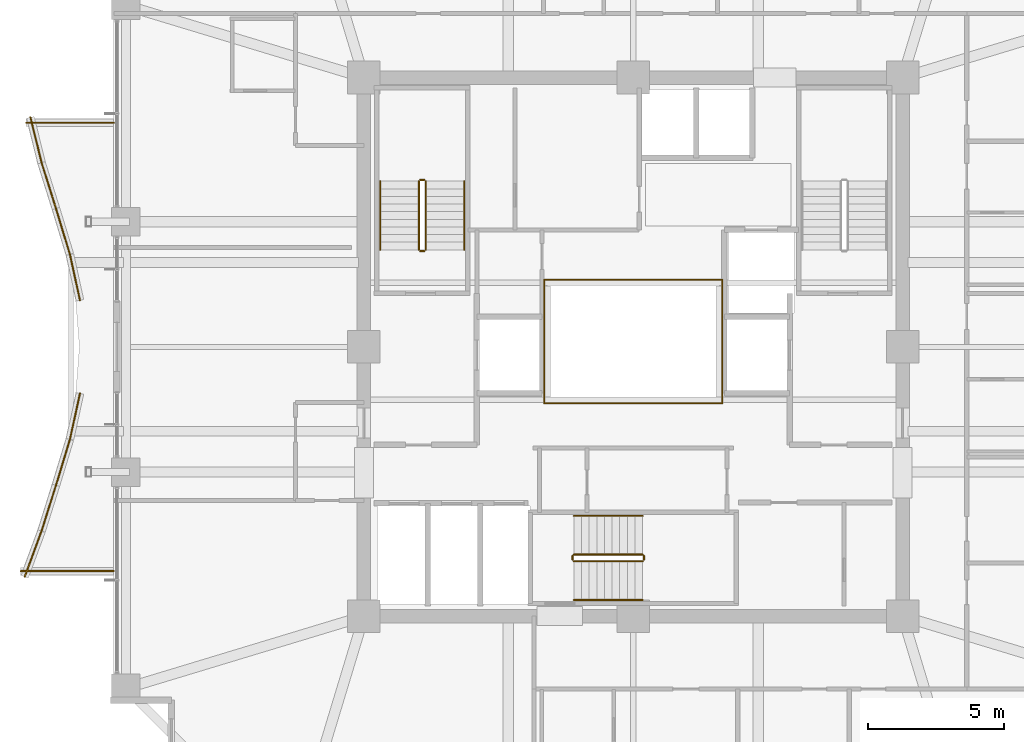
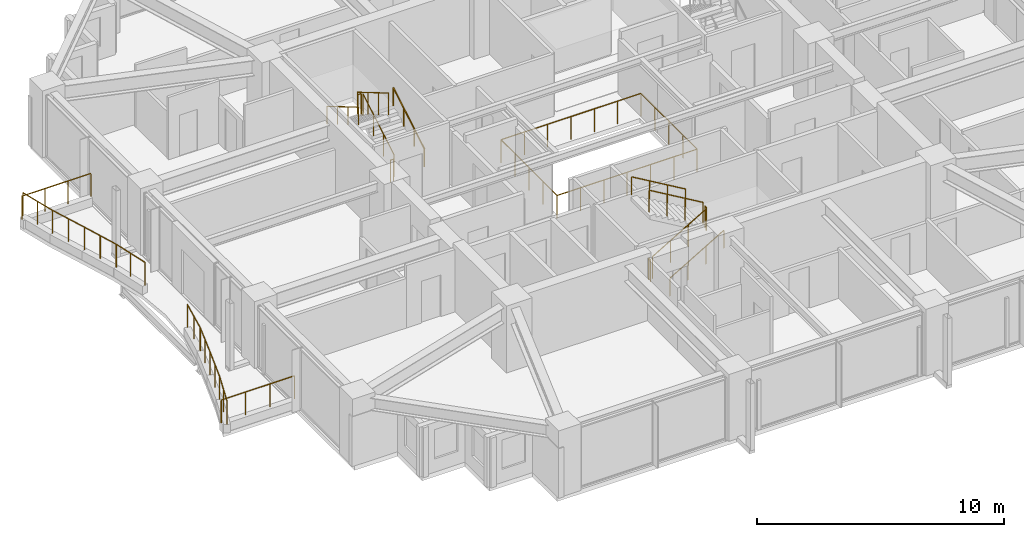
# One storey, part 34 of 35: 26 railings.
"""IFC4 building model written with IfcOpenShell, lengths in metres."""

from ifc_helpers import new_model, si_unit, direction, frame, origin, origin_2d, place, context, subcontext, project, spatial, circle, extrude, material, type_object, element, save


model = new_model("IFC4")

# Units and contexts
model_context = context("Model", 3, precision=1e-05, world=origin(), true_north=direction((0.0, 1.0)))
body_context = subcontext(model_context, "Body", "Model", "MODEL_VIEW")
ifc_project = project(units=[si_unit("LENGTHUNIT", "METRE"), si_unit("AREAUNIT", "SQUARE_METRE"), si_unit("VOLUMEUNIT", "CUBIC_METRE"), si_unit("PLANEANGLEUNIT", "RADIAN"), si_unit("MASSUNIT", "GRAM", prefix="KILO")], contexts=[model_context])

# Site, building, storey
site_placement = place(None, origin())
site = spatial("IfcSite", under=ifc_project, at=site_placement, CompositionType="ELEMENT")
building_placement = place(site_placement, origin())
building = spatial("IfcBuilding", under=site, at=building_placement, Name="Kolvaren Belvedere", CompositionType="ELEMENT")
storey_placement = place(building_placement, frame((0.0, 0.0, 115.10009765625)))
storey = spatial("IfcBuildingStorey", under=building, at=storey_placement, Name="L33", CompositionType="ELEMENT", Elevation=115.10009765625)

# Railings
ifc_material_1 = material(Name="Laminated glass & stainless-steel cap rail", Category="steel")
railing_type_1 = type_object("IfcRailingType", Name="RL-ATR-1150", PredefinedType="BALUSTRADE", material=ifc_material_1)
for number, where, name in (
    (1, (-3.27001953125, 2.469970703125, 0.0), "L33 Atrium North Glass Balustrade"),
    (2, (-3.27001953125, -2.070068359375, 0.0), "L33 Atrium South Glass Balustrade"),
):
    element("IfcRailing", number, at=place(storey_placement, frame(where)), inside=storey, type_object=railing_type_1, Name=name, PredefinedType="BALUSTRADE", context=body_context, shape_type="SweptSolid", body=[
        extrude(circle(Radius=0.02392578125, at=origin_2d()), frame((0.0, 0.0, 1.1259765625), z_axis=(1.0, 0.0, 0.0), x_axis=(0.0, 1.0, 0.0)), (0.0, 0.0, 1.0), 6.5400390625),
        extrude(circle(Radius=0.02099609375, at=origin_2d()), origin(), (0.0, 0.0, 1.0), 1.101806640625),
        extrude(circle(Radius=0.02099609375, at=origin_2d()), frame((1.090087890625, 0.0, 0.0)), (0.0, 0.0, 1.0), 1.101806640625),
        extrude(circle(Radius=0.02099609375, at=origin_2d()), frame((2.179931640625, 0.0, 0.0)), (0.0, 0.0, 1.0), 1.101806640625),
        extrude(circle(Radius=0.02099609375, at=origin_2d()), frame((3.27001953125, 0.0, 0.0)), (0.0, 0.0, 1.0), 1.101806640625),
        extrude(circle(Radius=0.02099609375, at=origin_2d()), frame((4.360107421875, 0.0, 0.0)), (0.0, 0.0, 1.0), 1.101806640625),
        extrude(circle(Radius=0.02099609375, at=origin_2d()), frame((5.449951171875, 0.0, 0.0)), (0.0, 0.0, 1.0), 1.101806640625),
        extrude(circle(Radius=0.02099609375, at=origin_2d()), frame((6.5400390625, 0.0, 0.0)), (0.0, 0.0, 1.0), 1.101806640625),
    ])
for number, where, name in (
    (3, (-3.27001953125, -2.070068359375, 0.0), "L33 Atrium West Glass Balustrade"),
    (4, (3.27001953125, -2.070068359375, 0.0), "L33 Atrium East Glass Balustrade"),
):
    element("IfcRailing", number, at=place(storey_placement, frame(where)), inside=storey, type_object=railing_type_1, Name=name, PredefinedType="BALUSTRADE", context=body_context, shape_type="SweptSolid", body=[
        extrude(circle(Radius=0.02392578125, at=origin_2d()), frame((0.0, 0.0, 1.1259765625), z_axis=(0.0, 1.0, 0.0), x_axis=(-1.0, 0.0, 0.0)), (0.0, 0.0, 1.0), 4.5400390625),
        extrude(circle(Radius=0.02099609375, at=origin_2d()), origin(), (0.0, 0.0, 1.0), 1.101806640625),
        extrude(circle(Radius=0.02099609375, at=origin_2d()), frame((0.0, 1.135009765625, 0.0)), (0.0, 0.0, 1.0), 1.101806640625),
        extrude(circle(Radius=0.02099609375, at=origin_2d()), frame((0.0, 2.27001953125, 0.0)), (0.0, 0.0, 1.0), 1.101806640625),
        extrude(circle(Radius=0.02099609375, at=origin_2d()), frame((0.0, 3.405029296875, 0.0)), (0.0, 0.0, 1.0), 1.101806640625),
        extrude(circle(Radius=0.02099609375, at=origin_2d()), frame((0.0, 4.5400390625, 0.0)), (0.0, 0.0, 1.0), 1.101806640625),
    ])
ifc_material_2 = material(Name="Anodised pale-metal aluminium & laminated glass guard", Category="aluminium")
railing_type_2 = type_object("IfcRailingType", Name="RL-GUARD-1150", PredefinedType="GUARDRAIL", material=ifc_material_2)
railing_1_placement = place(storey_placement, frame((-22.158203125, 8.438232421875, 0.3798828125)))
element("IfcRailing", 5, at=railing_1_placement, inside=storey, type_object=railing_type_2, Name="L33 Exterior Deck Safety Guard BAL-W-1", PredefinedType="GUARDRAIL", context=body_context, shape_type="SweptSolid", body=[
    extrude(circle(Radius=0.02392578125, at=origin_2d()), frame((0.0, 0.0, 1.1259765625), z_axis=(0.239180748277, -0.970975061293, 0.0), x_axis=(0.970975061293, 0.239180748277, 0.0)), (0.0, 0.0, 1.0), 1.730224609375),
    extrude(circle(Radius=0.02099609375, at=origin_2d()), origin(), (0.0, 0.0, 1.0), 1.101806640625),
    extrude(circle(Radius=0.02099609375, at=origin_2d()), frame((0.20703125, -0.83984375, 0.0)), (0.0, 0.0, 1.0), 1.101806640625),
    extrude(circle(Radius=0.02099609375, at=origin_2d()), frame((0.413818359375, -1.679931640625, 0.0)), (0.0, 0.0, 1.0), 1.101806640625),
])
railing_2_placement = place(storey_placement, frame((-21.747314453125, 6.767822265625, 0.3798828125)))
element("IfcRailing", 6, at=railing_2_placement, inside=storey, type_object=railing_type_2, Name="L33 Exterior Deck Safety Guard BAL-W-2", PredefinedType="GUARDRAIL", context=body_context, shape_type="SweptSolid", body=[
    extrude(circle(Radius=0.02392578125, at=origin_2d()), frame((0.0, 0.0, 1.1259765625), z_axis=(0.299750886874, -0.95401750813, 0.0), x_axis=(0.95401750813, 0.299750886874, 0.0)), (0.0, 0.0, 1.0), 1.760986328125),
    extrude(circle(Radius=0.02099609375, at=origin_2d()), origin(), (0.0, 0.0, 1.0), 1.101806640625),
    extrude(circle(Radius=0.02099609375, at=origin_2d()), frame((0.263916015625, -0.83984375, 0.0)), (0.0, 0.0, 1.0), 1.101806640625),
    extrude(circle(Radius=0.02099609375, at=origin_2d()), frame((0.52783203125, -1.679931640625, 0.0)), (0.0, 0.0, 1.0), 1.101806640625),
])
railing_3_placement = place(storey_placement, frame((-21.218994140625, 5.086669921875, 0.3798828125)))
element("IfcRailing", 7, at=railing_3_placement, inside=storey, type_object=railing_type_2, Name="L33 Exterior Deck Safety Guard BAL-W-3", PredefinedType="GUARDRAIL", context=body_context, shape_type="SweptSolid", body=[
    extrude(circle(Radius=0.02392578125, at=origin_2d()), frame((0.0, 0.0, 1.1259765625), z_axis=(0.290840734999, -0.956771481005, 0.0), x_axis=(0.956771481005, 0.290840734999, 0.0)), (0.0, 0.0, 1.0), 1.756103515625),
    extrude(circle(Radius=0.02099609375, at=origin_2d()), origin(), (0.0, 0.0, 1.0), 1.101806640625),
    extrude(circle(Radius=0.02099609375, at=origin_2d()), frame((0.25537109375, -0.840087890625, 0.0)), (0.0, 0.0, 1.0), 1.101806640625),
    extrude(circle(Radius=0.02099609375, at=origin_2d()), frame((0.5107421875, -1.68017578125, 0.0)), (0.0, 0.0, 1.0), 1.101806640625),
])
railing_4_placement = place(storey_placement, frame((-20.705078125, 3.394287109375, 0.3798828125)))
element("IfcRailing", 8, at=railing_4_placement, inside=storey, type_object=railing_type_2, Name="L33 Exterior Deck Safety Guard BAL-W-4", PredefinedType="GUARDRAIL", context=body_context, shape_type="SweptSolid", body=[
    extrude(circle(Radius=0.02392578125, at=origin_2d()), frame((0.0, 0.0, 1.1259765625), z_axis=(0.213773077423, -0.976883345835, 0.0), x_axis=(0.976883345835, 0.213773077423, 0.0)), (0.0, 0.0, 1.0), 1.719970703125),
    extrude(circle(Radius=0.02099609375, at=origin_2d()), origin(), (0.0, 0.0, 1.0), 1.101806640625),
    extrude(circle(Radius=0.02099609375, at=origin_2d()), frame((0.183837890625, -0.840087890625, 0.0)), (0.0, 0.0, 1.0), 1.101806640625),
    extrude(circle(Radius=0.02099609375, at=origin_2d()), frame((0.36767578125, -1.68017578125, 0.0)), (0.0, 0.0, 1.0), 1.101806640625),
])
railing_5_placement = place(storey_placement, frame((-20.33740234375, -1.714111328125, 0.3798828125)))
element("IfcRailing", 9, at=railing_5_placement, inside=storey, type_object=railing_type_2, Name="L33 Exterior Deck Safety Guard BAL-W-7", PredefinedType="GUARDRAIL", context=body_context, shape_type="SweptSolid", body=[
    extrude(circle(Radius=0.02392578125, at=origin_2d()), frame((0.0, 0.0, 1.1259765625), z_axis=(-0.213773077423, -0.976883345835, 0.0), x_axis=(0.976883345835, -0.213773077423, 0.0)), (0.0, 0.0, 1.0), 1.719970703125),
    extrude(circle(Radius=0.02099609375, at=origin_2d()), origin(), (0.0, 0.0, 1.0), 1.101806640625),
    extrude(circle(Radius=0.02099609375, at=origin_2d()), frame((-0.183837890625, -0.840087890625, 0.0)), (0.0, 0.0, 1.0), 1.101806640625),
    extrude(circle(Radius=0.02099609375, at=origin_2d()), frame((-0.36767578125, -1.68017578125, 0.0)), (0.0, 0.0, 1.0), 1.101806640625),
])
railing_6_placement = place(storey_placement, frame((-20.708251953125, -3.406494140625, 0.3798828125)))
element("IfcRailing", 10, at=railing_6_placement, inside=storey, type_object=railing_type_2, Name="L33 Exterior Deck Safety Guard BAL-W-8", PredefinedType="GUARDRAIL", context=body_context, shape_type="SweptSolid", body=[
    extrude(circle(Radius=0.02392578125, at=origin_2d()), frame((0.0, 0.0, 1.1259765625), z_axis=(-0.290840734999, -0.956771481005, 0.0), x_axis=(0.956771481005, -0.290840734999, 0.0)), (0.0, 0.0, 1.0), 1.756103515625),
    extrude(circle(Radius=0.02099609375, at=origin_2d()), origin(), (0.0, 0.0, 1.0), 1.101806640625),
    extrude(circle(Radius=0.02099609375, at=origin_2d()), frame((-0.25537109375, -0.840087890625, 0.0)), (0.0, 0.0, 1.0), 1.101806640625),
    extrude(circle(Radius=0.02099609375, at=origin_2d()), frame((-0.5107421875, -1.68017578125, 0.0)), (0.0, 0.0, 1.0), 1.101806640625),
])
railing_7_placement = place(storey_placement, frame((-21.219482421875, -5.087890625, 0.3798828125)))
element("IfcRailing", 11, at=railing_7_placement, inside=storey, type_object=railing_type_2, Name="L33 Exterior Deck Safety Guard BAL-W-9", PredefinedType="GUARDRAIL", context=body_context, shape_type="SweptSolid", body=[
    extrude(circle(Radius=0.02392578125, at=origin_2d()), frame((0.0, 0.0, 1.1259765625), z_axis=(-0.299750886874, -0.95401750813, 0.0), x_axis=(0.95401750813, -0.299750886874, 0.0)), (0.0, 0.0, 1.0), 1.760986328125),
    extrude(circle(Radius=0.02099609375, at=origin_2d()), origin(), (0.0, 0.0, 1.0), 1.101806640625),
    extrude(circle(Radius=0.02099609375, at=origin_2d()), frame((-0.263916015625, -0.83984375, 0.0)), (0.0, 0.0, 1.0), 1.101806640625),
    extrude(circle(Radius=0.02099609375, at=origin_2d()), frame((-0.52783203125, -1.679931640625, 0.0)), (0.0, 0.0, 1.0), 1.101806640625),
])
railing_8_placement = place(storey_placement, frame((-21.749755859375, -6.775390625, 0.3798828125)))
element("IfcRailing", 12, at=railing_8_placement, inside=storey, type_object=railing_type_2, Name="L33 Exterior Deck Safety Guard BAL-W-10", PredefinedType="GUARDRAIL", context=body_context, shape_type="SweptSolid", body=[
    extrude(circle(Radius=0.02392578125, at=origin_2d()), frame((0.0, 0.0, 1.1259765625), z_axis=(-0.346292864983, -0.938126458246, 0.0), x_axis=(0.938126458246, -0.346292864983, 0.0)), (0.0, 0.0, 1.0), 1.790771484375),
    extrude(circle(Radius=0.02099609375, at=origin_2d()), origin(), (0.0, 0.0, 1.0), 1.101806640625),
    extrude(circle(Radius=0.02099609375, at=origin_2d()), frame((-0.31005859375, -0.83984375, 0.0)), (0.0, 0.0, 1.0), 1.101806640625),
    extrude(circle(Radius=0.02099609375, at=origin_2d()), frame((-0.6201171875, -1.679931640625, 0.0)), (0.0, 0.0, 1.0), 1.101806640625),
])
railing_9_placement = place(storey_placement, frame((-22.52001953125, -8.239990234375, 0.3798828125)))
element("IfcRailing", 13, at=railing_9_placement, inside=storey, type_object=railing_type_2, Name="L33 Exterior Deck Safety Guard BAL-W-11", PredefinedType="GUARDRAIL", context=body_context, shape_type="SweptSolid", body=[
    extrude(circle(Radius=0.02392578125, at=origin_2d()), frame((0.0, 0.0, 1.1259765625), z_axis=(1.0, 0.0, 0.0), x_axis=(0.0, 1.0, 0.0)), (0.0, 0.0, 1.0), 3.419921875),
    extrude(circle(Radius=0.02099609375, at=origin_2d()), origin(), (0.0, 0.0, 1.0), 1.101806640625),
    extrude(circle(Radius=0.02099609375, at=origin_2d()), frame((1.139892578125, 0.0, 0.0)), (0.0, 0.0, 1.0), 1.101806640625),
    extrude(circle(Radius=0.02099609375, at=origin_2d()), frame((2.280029296875, 0.0, 0.0)), (0.0, 0.0, 1.0), 1.101806640625),
    extrude(circle(Radius=0.02099609375, at=origin_2d()), frame((3.419921875, 0.0, 0.0)), (0.0, 0.0, 1.0), 1.101806640625),
])
railing_10_placement = place(storey_placement, frame((-19.10009765625, 8.239990234375, 0.3798828125)))
element("IfcRailing", 14, at=railing_10_placement, inside=storey, type_object=railing_type_2, Name="L33 Exterior Deck Safety Guard BAL-W-22", PredefinedType="GUARDRAIL", context=body_context, shape_type="SweptSolid", body=[
    extrude(circle(Radius=0.02392578125, at=origin_2d()), frame((0.0, 0.0, 1.1259765625), z_axis=(-1.0, 0.0, 0.0), x_axis=(0.0, -1.0, 0.0)), (0.0, 0.0, 1.0), 3.213623046875),
    extrude(circle(Radius=0.02099609375, at=origin_2d()), origin(), (0.0, 0.0, 1.0), 1.101806640625),
    extrude(circle(Radius=0.02099609375, at=origin_2d()), frame((-1.0712890625, 0.0, 0.0)), (0.0, 0.0, 1.0), 1.101806640625),
    extrude(circle(Radius=0.02099609375, at=origin_2d()), frame((-2.142333984375, 0.0, 0.0)), (0.0, 0.0, 1.0), 1.101806640625),
    extrude(circle(Radius=0.02099609375, at=origin_2d()), frame((-3.213623046875, 0.0, 0.0)), (0.0, 0.0, 1.0), 1.101806640625),
])
ifc_material_3 = material(Name="Brushed stainless-steel handrail", Category="steel")
railing_type_3 = type_object("IfcRailingType", Name="RL-HANDRAIL-920", PredefinedType="HANDRAIL", material=ifc_material_3)
railing_11_placement = place(storey_placement, frame((-6.2099609375, 3.570068359375, 0.164794921875)))
element("IfcRailing", 15, at=railing_11_placement, inside=storey, type_object=railing_type_3, Name="L33 ST-1 stair handrail 1", PredefinedType="HANDRAIL", context=body_context, shape_type="SweptSolid", body=[
    extrude(circle(Radius=0.02392578125, at=origin_2d()), frame((0.0, 0.0, 0.8759765625), z_axis=(0.0, 0.86152411907, 0.507716645641), x_axis=(-1.0, 0.0, 0.0)), (0.0, 0.0, 1.0), 2.925048828125),
    extrude(circle(Radius=0.02099609375, at=origin_2d()), origin(), (0.0, 0.0, 1.0), 0.851806640625),
    extrude(circle(Radius=0.02099609375, at=origin_2d()), frame((0.0, 0.840087890625, 0.4951171875)), (0.0, 0.0, 1.0), 0.851806640625),
    extrude(circle(Radius=0.02099609375, at=origin_2d()), frame((0.0, 1.679931640625, 0.989990234375)), (0.0, 0.0, 1.0), 0.851806640625),
    extrude(circle(Radius=0.02099609375, at=origin_2d()), frame((0.0, 2.52001953125, 1.485107421875)), (0.0, 0.0, 1.0), 0.851806640625),
])
railing_12_placement = place(storey_placement, frame((-9.300048828125, 6.090087890625, 1.81494140625)))
element("IfcRailing", 16, at=railing_12_placement, inside=storey, type_object=railing_type_3, Name="L33 ST-1 stair handrail 2", PredefinedType="HANDRAIL", context=body_context, shape_type="SweptSolid", body=[
    extrude(circle(Radius=0.02392578125, at=origin_2d()), frame((0.0, 0.0, 0.8759765625), z_axis=(0.0, -0.861560626758, 0.507654692109), x_axis=(1.0, 0.0, 0.0)), (0.0, 0.0, 1.0), 2.925048828125),
    extrude(circle(Radius=0.02099609375, at=origin_2d()), origin(), (0.0, 0.0, 1.0), 0.851806640625),
    extrude(circle(Radius=0.02099609375, at=origin_2d()), frame((0.0, -0.840087890625, 0.494873046875)), (0.0, 0.0, 1.0), 0.851806640625),
    extrude(circle(Radius=0.02099609375, at=origin_2d()), frame((0.0, -1.679931640625, 0.989990234375)), (0.0, 0.0, 1.0), 0.851806640625),
    extrude(circle(Radius=0.02099609375, at=origin_2d()), frame((0.0, -2.52001953125, 1.48486328125)), (0.0, 0.0, 1.0), 0.851806640625),
])
railing_13_placement = place(storey_placement, frame((-2.179931640625, -9.300048828125, 0.164794921875)))
element("IfcRailing", 17, at=railing_13_placement, inside=storey, type_object=railing_type_3, Name="L33 ST-3 stair handrail 1", PredefinedType="HANDRAIL", context=body_context, shape_type="SweptSolid", body=[
    extrude(circle(Radius=0.02392578125, at=origin_2d()), frame((0.0, 0.0, 0.8759765625), z_axis=(0.86152411907, 0.0, 0.507716645641), x_axis=(0.0, 1.0, 0.0)), (0.0, 0.0, 1.0), 2.925048828125),
    extrude(circle(Radius=0.02099609375, at=origin_2d()), origin(), (0.0, 0.0, 1.0), 0.851806640625),
    extrude(circle(Radius=0.02099609375, at=origin_2d()), frame((0.840087890625, 0.0, 0.4951171875)), (0.0, 0.0, 1.0), 0.851806640625),
    extrude(circle(Radius=0.02099609375, at=origin_2d()), frame((1.679931640625, 0.0, 0.989990234375)), (0.0, 0.0, 1.0), 0.851806640625),
    extrude(circle(Radius=0.02099609375, at=origin_2d()), frame((2.52001953125, 0.0, 1.485107421875)), (0.0, 0.0, 1.0), 0.851806640625),
])
railing_14_placement = place(storey_placement, frame((0.340087890625, -6.2099609375, 1.81494140625)))
element("IfcRailing", 18, at=railing_14_placement, inside=storey, type_object=railing_type_3, Name="L33 ST-3 stair handrail 2", PredefinedType="HANDRAIL", context=body_context, shape_type="SweptSolid", body=[
    extrude(circle(Radius=0.02392578125, at=origin_2d()), frame((0.0, 0.0, 0.8759765625), z_axis=(-0.861560626758, 0.0, 0.507654692109), x_axis=(0.0, -1.0, 0.0)), (0.0, 0.0, 1.0), 2.925048828125),
    extrude(circle(Radius=0.02099609375, at=origin_2d()), origin(), (0.0, 0.0, 1.0), 0.851806640625),
    extrude(circle(Radius=0.02099609375, at=origin_2d()), frame((-0.840087890625, 0.0, 0.494873046875)), (0.0, 0.0, 1.0), 0.851806640625),
    extrude(circle(Radius=0.02099609375, at=origin_2d()), frame((-1.679931640625, 0.0, 0.989990234375)), (0.0, 0.0, 1.0), 0.851806640625),
    extrude(circle(Radius=0.02099609375, at=origin_2d()), frame((-2.52001953125, 0.0, 1.48486328125)), (0.0, 0.0, 1.0), 0.851806640625),
])
ifc_material_4 = material(Name="Painted tubular steel stair guard", Category="steel")
railing_type_4 = type_object("IfcRailingType", Name="RL-STGUARD-1100", PredefinedType="GUARDRAIL", material=ifc_material_4)
railing_15_placement = place(storey_placement, frame((-7.6298828125, 3.570068359375, 0.164794921875)))
element("IfcRailing", 19, at=railing_15_placement, inside=storey, type_object=railing_type_4, Name="L33 ST-1 stair guard 1", PredefinedType="GUARDRAIL", context=body_context, shape_type="SweptSolid", body=[
    extrude(circle(Radius=0.02392578125, at=origin_2d()), frame((0.0, 0.0, 1.076171875), z_axis=(0.0, 0.86152411907, 0.507716645641), x_axis=(-1.0, 0.0, 0.0)), (0.0, 0.0, 1.0), 2.925048828125),
    extrude(circle(Radius=0.02099609375, at=origin_2d()), origin(), (0.0, 0.0, 1.0), 1.052001953125),
    extrude(circle(Radius=0.02099609375, at=origin_2d()), frame((0.0, 0.840087890625, 0.4951171875)), (0.0, 0.0, 1.0), 1.052001953125),
    extrude(circle(Radius=0.02099609375, at=origin_2d()), frame((0.0, 1.679931640625, 0.989990234375)), (0.0, 0.0, 1.0), 1.052001953125),
    extrude(circle(Radius=0.02099609375, at=origin_2d()), frame((0.0, 2.52001953125, 1.485107421875)), (0.0, 0.0, 1.0), 1.052001953125),
])
railing_16_placement = place(storey_placement, frame((-7.679931640625, 6.139892578125, 1.64990234375)))
element("IfcRailing", 20, at=railing_16_placement, inside=storey, type_object=railing_type_4, Name="L33 ST-1 stair guard 2", PredefinedType="GUARDRAIL", context=body_context, shape_type="SweptSolid", body=[
    extrude(circle(Radius=0.02392578125, at=origin_2d()), frame((0.0, 0.0, 1.076171875), z_axis=(-1.0, 0.0, 0.0), x_axis=(0.0, -1.0, 0.0)), (0.0, 0.0, 1.0), 0.150146484375),
    extrude(circle(Radius=0.02099609375, at=origin_2d()), origin(), (0.0, 0.0, 1.0), 1.052001953125),
    extrude(circle(Radius=0.02099609375, at=origin_2d()), frame((-0.150146484375, 0.0, 0.0)), (0.0, 0.0, 1.0), 1.052001953125),
])
railing_17_placement = place(storey_placement, frame((-7.8798828125, 6.090087890625, 1.81494140625)))
element("IfcRailing", 21, at=railing_17_placement, inside=storey, type_object=railing_type_4, Name="L33 ST-1 stair guard 3", PredefinedType="GUARDRAIL", context=body_context, shape_type="SweptSolid", body=[
    extrude(circle(Radius=0.02392578125, at=origin_2d()), frame((0.0, 0.0, 1.076171875), z_axis=(0.0, -0.861560626758, 0.507654692109), x_axis=(1.0, 0.0, 0.0)), (0.0, 0.0, 1.0), 2.925048828125),
    extrude(circle(Radius=0.02099609375, at=origin_2d()), origin(), (0.0, 0.0, 1.0), 1.052001953125),
    extrude(circle(Radius=0.02099609375, at=origin_2d()), frame((0.0, -0.840087890625, 0.494873046875)), (0.0, 0.0, 1.0), 1.052001953125),
    extrude(circle(Radius=0.02099609375, at=origin_2d()), frame((0.0, -1.679931640625, 0.989990234375)), (0.0, 0.0, 1.0), 1.052001953125),
    extrude(circle(Radius=0.02099609375, at=origin_2d()), frame((0.0, -2.52001953125, 1.48486328125)), (0.0, 0.0, 1.0), 1.052001953125),
])
railing_18_placement = place(storey_placement, frame((-7.679931640625, 3.52001953125, 0.0)))
element("IfcRailing", 22, at=railing_18_placement, inside=storey, type_object=railing_type_4, Name="L33 ST-1 stair guard 4", PredefinedType="GUARDRAIL", context=body_context, shape_type="SweptSolid", body=[
    extrude(circle(Radius=0.02392578125, at=origin_2d()), frame((0.0, 0.0, 1.076171875), z_axis=(-1.0, 0.0, 0.0), x_axis=(0.0, -1.0, 0.0)), (0.0, 0.0, 1.0), 0.150146484375),
    extrude(circle(Radius=0.02099609375, at=origin_2d()), origin(), (0.0, 0.0, 1.0), 1.052001953125),
    extrude(circle(Radius=0.02099609375, at=origin_2d()), frame((-0.150146484375, 0.0, 0.0)), (0.0, 0.0, 1.0), 1.052001953125),
])
railing_19_placement = place(storey_placement, frame((-2.179931640625, -7.8798828125, 0.164794921875)))
element("IfcRailing", 23, at=railing_19_placement, inside=storey, type_object=railing_type_4, Name="L33 ST-3 stair guard 1", PredefinedType="GUARDRAIL", context=body_context, shape_type="SweptSolid", body=[
    extrude(circle(Radius=0.02392578125, at=origin_2d()), frame((0.0, 0.0, 1.076171875), z_axis=(0.86152411907, 0.0, 0.507716645641), x_axis=(0.0, 1.0, 0.0)), (0.0, 0.0, 1.0), 2.925048828125),
    extrude(circle(Radius=0.02099609375, at=origin_2d()), origin(), (0.0, 0.0, 1.0), 1.052001953125),
    extrude(circle(Radius=0.02099609375, at=origin_2d()), frame((0.840087890625, 0.0, 0.4951171875)), (0.0, 0.0, 1.0), 1.052001953125),
    extrude(circle(Radius=0.02099609375, at=origin_2d()), frame((1.679931640625, 0.0, 0.989990234375)), (0.0, 0.0, 1.0), 1.052001953125),
    extrude(circle(Radius=0.02099609375, at=origin_2d()), frame((2.52001953125, 0.0, 1.485107421875)), (0.0, 0.0, 1.0), 1.052001953125),
])
railing_20_placement = place(storey_placement, frame((0.389892578125, -7.830078125, 1.64990234375)))
element("IfcRailing", 24, at=railing_20_placement, inside=storey, type_object=railing_type_4, Name="L33 ST-3 stair guard 2", PredefinedType="GUARDRAIL", context=body_context, shape_type="SweptSolid", body=[
    extrude(circle(Radius=0.02392578125, at=origin_2d()), frame((0.0, 0.0, 1.076171875), z_axis=(0.0, 1.0, 0.0), x_axis=(-1.0, 0.0, 0.0)), (0.0, 0.0, 1.0), 0.150146484375),
    extrude(circle(Radius=0.02099609375, at=origin_2d()), origin(), (0.0, 0.0, 1.0), 1.052001953125),
    extrude(circle(Radius=0.02099609375, at=origin_2d()), frame((0.0, 0.150146484375, 0.0)), (0.0, 0.0, 1.0), 1.052001953125),
])
railing_21_placement = place(storey_placement, frame((0.340087890625, -7.6298828125, 1.81494140625)))
element("IfcRailing", 25, at=railing_21_placement, inside=storey, type_object=railing_type_4, Name="L33 ST-3 stair guard 3", PredefinedType="GUARDRAIL", context=body_context, shape_type="SweptSolid", body=[
    extrude(circle(Radius=0.02392578125, at=origin_2d()), frame((0.0, 0.0, 1.076171875), z_axis=(-0.861560626758, 0.0, 0.507654692109), x_axis=(0.0, -1.0, 0.0)), (0.0, 0.0, 1.0), 2.925048828125),
    extrude(circle(Radius=0.02099609375, at=origin_2d()), origin(), (0.0, 0.0, 1.0), 1.052001953125),
    extrude(circle(Radius=0.02099609375, at=origin_2d()), frame((-0.840087890625, 0.0, 0.494873046875)), (0.0, 0.0, 1.0), 1.052001953125),
    extrude(circle(Radius=0.02099609375, at=origin_2d()), frame((-1.679931640625, 0.0, 0.989990234375)), (0.0, 0.0, 1.0), 1.052001953125),
    extrude(circle(Radius=0.02099609375, at=origin_2d()), frame((-2.52001953125, 0.0, 1.48486328125)), (0.0, 0.0, 1.0), 1.052001953125),
])
railing_22_placement = place(storey_placement, frame((-2.22998046875, -7.830078125, 0.0)))
element("IfcRailing", 26, at=railing_22_placement, inside=storey, type_object=railing_type_4, Name="L33 ST-3 stair guard 4", PredefinedType="GUARDRAIL", context=body_context, shape_type="SweptSolid", body=[
    extrude(circle(Radius=0.02392578125, at=origin_2d()), frame((0.0, 0.0, 1.076171875), z_axis=(0.0, 1.0, 0.0), x_axis=(-1.0, 0.0, 0.0)), (0.0, 0.0, 1.0), 0.150146484375),
    extrude(circle(Radius=0.02099609375, at=origin_2d()), origin(), (0.0, 0.0, 1.0), 1.052001953125),
    extrude(circle(Radius=0.02099609375, at=origin_2d()), frame((0.0, 0.150146484375, 0.0)), (0.0, 0.0, 1.0), 1.052001953125),
])

save(model, "model.ifc")
